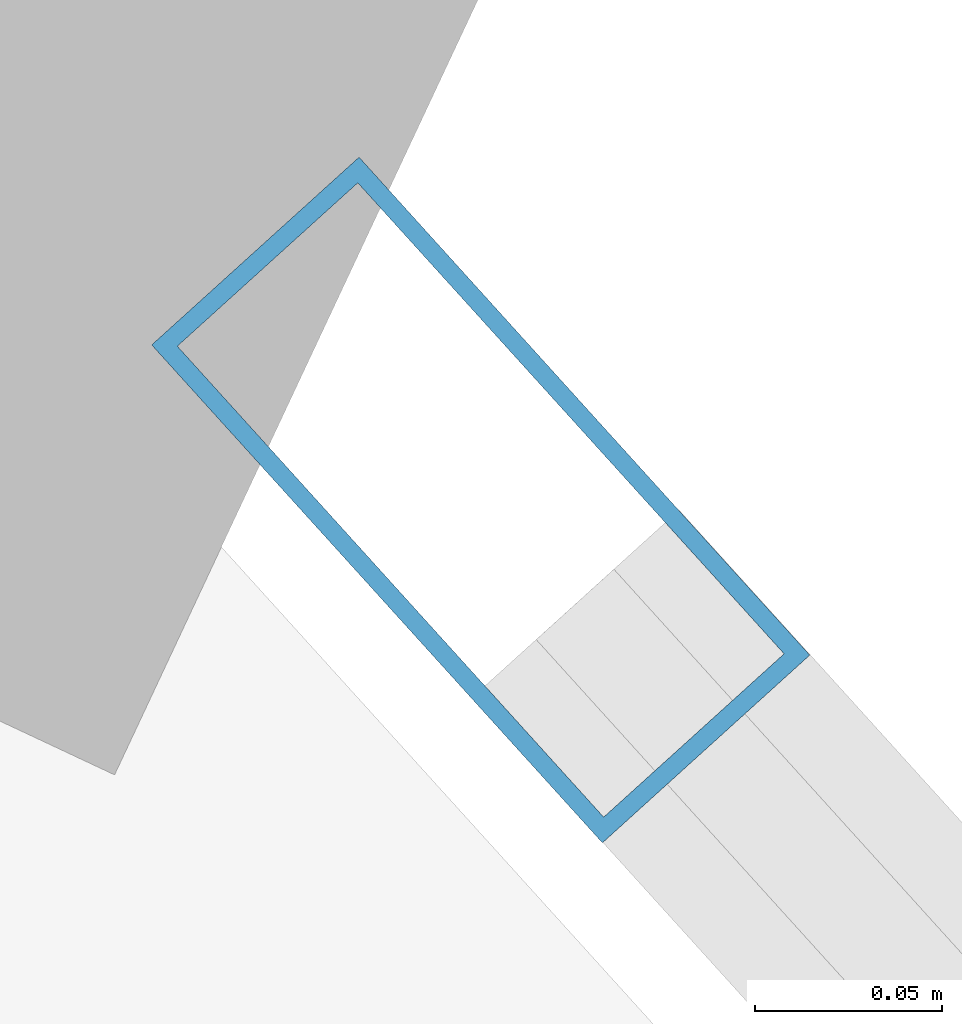
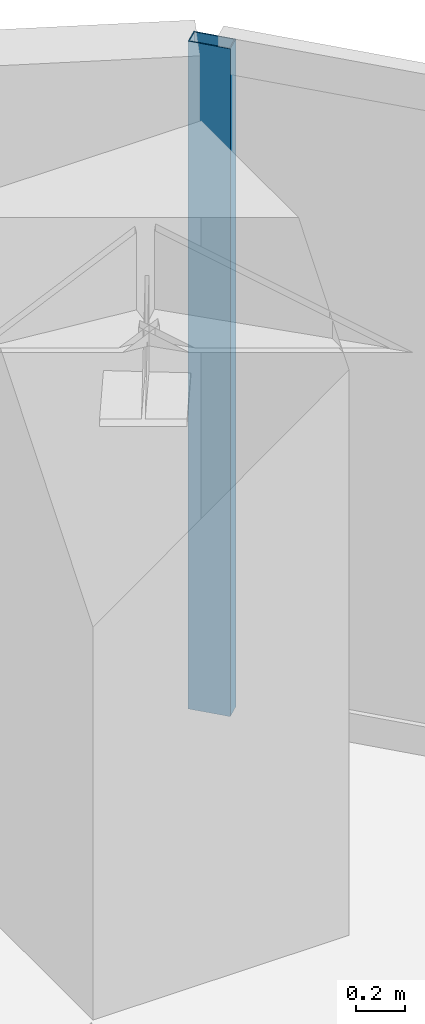
# One storey, part 12 of 21: 1 member, 1 element without a shape of its own.
"""IFC4 building model written with IfcOpenShell, lengths in metres."""

from ifc_helpers import new_model, si_unit, direction, frame, origin, origin_2d, place, context, subcontext, project, spatial, hollow_rectangle, extrude, source, transform, mapped, material, layer, layer_set, material_profile, profile_set, type_object, type_shapes, element, aggregate, save


model = new_model("IFC4")

# Units and contexts
model_context = context("Model", 3, precision=1e-05, world=origin(), true_north=direction((0.0, 1.0)))
body_context = subcontext(model_context, "Body", "Model", "MODEL_VIEW")
ifc_project = project(units=[si_unit("LENGTHUNIT", "METRE"), si_unit("AREAUNIT", "SQUARE_METRE"), si_unit("VOLUMEUNIT", "CUBIC_METRE"), si_unit("PLANEANGLEUNIT", "RADIAN"), si_unit("MASSUNIT", "GRAM", prefix="KILO")], contexts=[model_context])

# Site, building, storey
site_placement = place(None, origin())
site = spatial("IfcSite", under=ifc_project, at=site_placement, CompositionType="ELEMENT")
building_placement = place(site_placement, origin())
building = spatial("IfcBuilding", under=site, at=building_placement, Name="Talar Marvaseh", CompositionType="ELEMENT")
storey_placement = place(building_placement, frame((0.0, 0.0, 93.0)))
storey = spatial("IfcBuildingStorey", under=building, at=storey_placement, Name="L23", CompositionType="ELEMENT", Elevation=93.0)

# Curtain wall, member
ifc_material = material(Name="Architectural Aluminium", Category="aluminium")
ifc_layer = layer(ifc_material, 0.199951171875)
ifc_layer_set = layer_set([ifc_layer], Name="Architectural Aluminium")
curtain_wall_type = type_object("IfcCurtainWallType", Name="Unitised Acoustic Library Curtain Wall Z2", PredefinedType="NOTDEFINED", material=ifc_layer_set)
curtain_wall_placement = place(storey_placement, origin())
curtain_wall = element("IfcCurtainWall", 1, at=curtain_wall_placement, inside=storey, type_object=curtain_wall_type, Name="L23 Unitised Acoustic Library Curtain Wall Z2", PredefinedType="NOTDEFINED")
ifc_material_profile = material_profile(ifc_material, hollow_rectangle(XDim=0.074951171875, YDim=0.179931640625, WallThickness=0.0048828125, at=origin_2d()), Name="RHS180x75x5")
ifc_profile_set = profile_set([ifc_material_profile], Name="Architectural Aluminium")
member_type = type_object("IfcMemberType", Name="Unitised Curtain Wall Standard Mullion RHS180x75x5", PredefinedType="MULLION", material=ifc_profile_set)
shared_shape = source(origin(), body_context, "Body", "SweptSolid", [
    extrude(hollow_rectangle(XDim=0.074951171875, YDim=0.179931640625, WallThickness=0.0048828125, at=origin_2d()), origin(), (0.0, 0.0, 1.0), 3.31005859375),
])
type_shapes(member_type, [shared_shape])
member_placement = place(storey_placement, frame((37.78955078125, 43.543701171875, 0.0), z_axis=(0.0, 0.0, 1.0), x_axis=(0.741347372116, 0.67112150454, 0.0)))
member = element("IfcMember", 2, at=member_placement, type_object=member_type, Name="CW-Z2 mullion 1", PredefinedType="MULLION", context=body_context, shape_type="MappedRepresentation", body=[
    mapped(shared_shape, transform((0.0, 0.0, 0.0), x_axis=(1.0, 0.0, 0.0), y_axis=(0.0, 1.0, 0.0), z_axis=(0.0, 0.0, 1.0), scale=1.0)),
])
aggregate(curtain_wall, [member])

save(model, "model.ifc")
